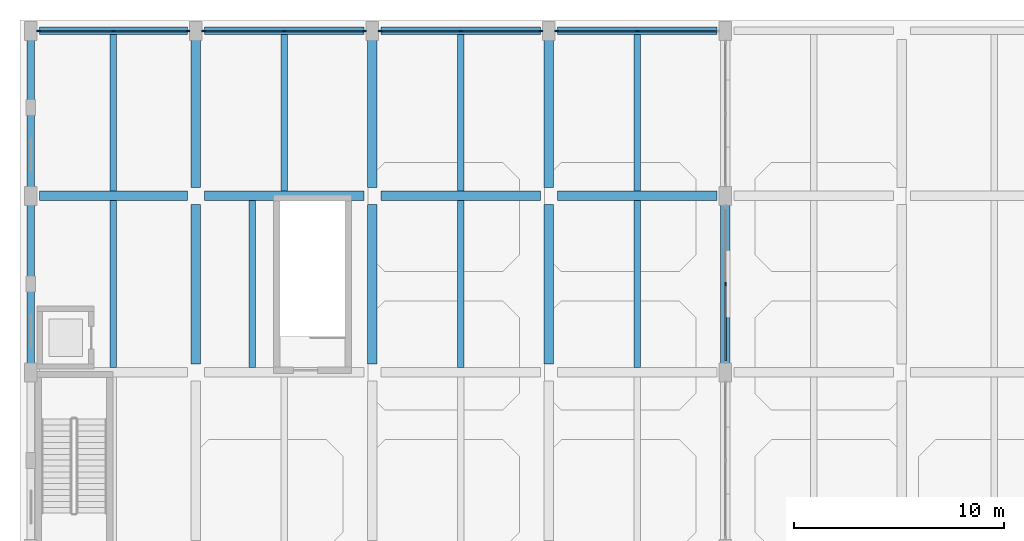
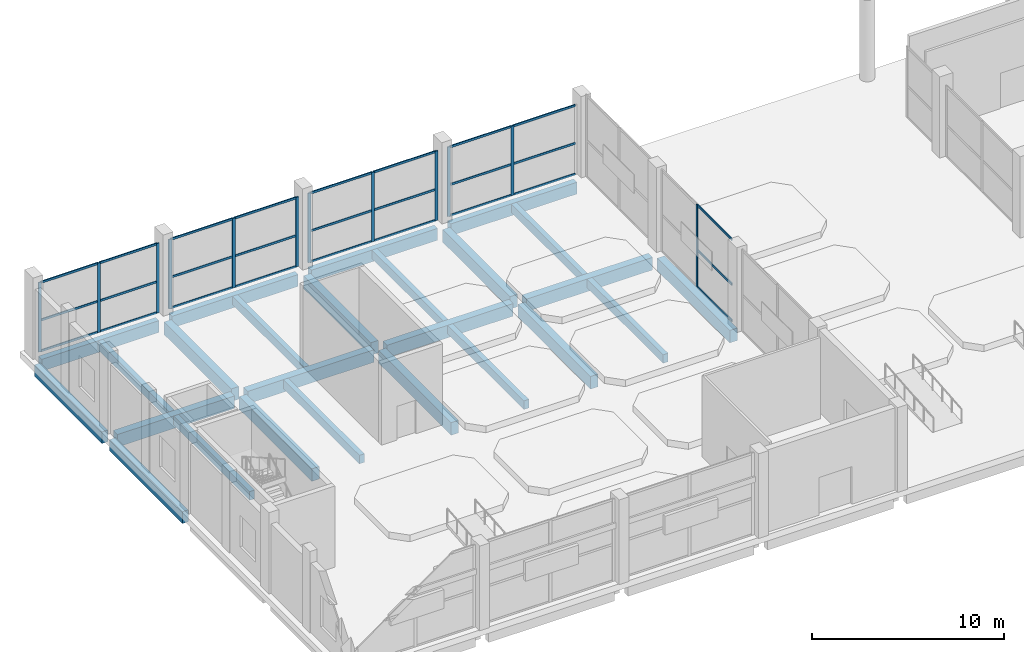
# One storey, part 9 of 34: 39 members, 25 beams, 5 elements without a shape of their own.
"""IFC4 building model written with IfcOpenShell, lengths in metres."""

import ifcopenshell
import ifcopenshell.guid

model = None  # the IFC model being written
_history = None  # IfcOwnerHistory: only IFC2X3 demands one
_inside = {}  # id of a spatial element -> (the spatial element, [elements in it])
_under = {}  # id of a project, library or spatial element -> (it, [spatial elements below it])
_declared = {}  # id of a project -> (the project, [libraries it declares])
_typed = {}  # id of a type object -> (the type object, [elements of that type])
_made_of = {}  # id of a material, layer set ... -> (it, [elements and type objects made of it])


def new_model(schema):
    """Start an empty IFC model of exactly this schema.

    Asked for "IFC4X3", IfcOpenShell would pick the latest addendum, in which some entities
    have other attributes; the version numbers below select the first issue.
    IFC2X3 requires an IfcOwnerHistory on every rooted entity: one is made here for all.
    """
    global model, _history
    if schema == "IFC4X3":
        model = ifcopenshell.file(schema_version=(4, 3, 0, 0))
    else:
        model = ifcopenshell.file(schema=schema)
    _inside.clear()
    _under.clear()
    _declared.clear()
    _typed.clear()
    _made_of.clear()
    _history = None
    if model.schema == "IFC2X3":
        org = make("IfcOrganization", Name="unknown")
        user = make(
            "IfcPersonAndOrganization",
            ThePerson=make("IfcPerson", FamilyName="unknown"),
            TheOrganization=org,
        )
        app = make(
            "IfcApplication",
            ApplicationDeveloper=org,
            Version="unknown",
            ApplicationFullName="unknown",
            ApplicationIdentifier="unknown",
        )
        _history = make(
            "IfcOwnerHistory",
            OwningUser=user,
            OwningApplication=app,
            ChangeAction="ADDED",
            CreationDate=0,
        )
    return model


def make(cls, **values):
    """One entity of the class cls with the attributes given. An attribute that is None is left unset."""
    return model.create_entity(
        cls, **{name: value for name, value in values.items() if value is not None}
    )


def rooted(cls, **values):
    """An entity with a GlobalId (a new one), such as an element, a storey or a relation."""
    return make(cls, GlobalId=ifcopenshell.guid.new(), OwnerHistory=_history, **values)


def si_unit(unit_type, name, prefix=None):
    """IfcSIUnit, for example si_unit("LENGTHUNIT", "METRE", prefix="MILLI")."""
    return make("IfcSIUnit", UnitType=unit_type, Prefix=prefix, Name=name)


def assignment(units):
    """IfcUnitAssignment: the units of a project."""
    return None if units is None else make("IfcUnitAssignment", Units=units)


def point(xyz):
    """IfcCartesianPoint."""
    return None if xyz is None else make("IfcCartesianPoint", Coordinates=xyz)


def direction(xyz):
    """IfcDirection."""
    return None if xyz is None else make("IfcDirection", DirectionRatios=xyz)


def frame(location, z_axis=None, x_axis=None):
    """IfcAxis2Placement3D, a coordinate frame: its origin and axes. An axis left out is left unset."""
    return make(
        "IfcAxis2Placement3D",
        Location=point(location),
        Axis=direction(z_axis),
        RefDirection=direction(x_axis),
    )


def frame_2d(location, x_axis=None):
    """IfcAxis2Placement2D, a coordinate frame in the plane: its origin and x axis."""
    return make(
        "IfcAxis2Placement2D", Location=point(location), RefDirection=direction(x_axis)
    )


def origin():
    """The frame at (0, 0, 0) with its axes left unset."""
    return frame((0.0, 0.0, 0.0))


def origin_2d():
    """The frame at (0, 0) in the plane with its x axis left unset."""
    return frame_2d((0.0, 0.0))


def place(relative_to, where):
    """IfcLocalPlacement: puts the frame where relative to a parent placement (None: the world)."""
    return make(
        "IfcLocalPlacement", PlacementRelTo=relative_to, RelativePlacement=where
    )


def context(
    kind, dimensions, precision=None, world=None, true_north=None, identifier=None
):
    """IfcGeometricRepresentationContext, for example the 3D "Model" context."""
    return make(
        "IfcGeometricRepresentationContext",
        ContextIdentifier=identifier,
        ContextType=kind,
        CoordinateSpaceDimension=dimensions,
        Precision=precision,
        WorldCoordinateSystem=world,
        TrueNorth=true_north,
    )


def subcontext(parent, identifier, kind, view, scale=None):
    """IfcGeometricRepresentationSubContext, for example "Body" below "Model"."""
    return make(
        "IfcGeometricRepresentationSubContext",
        ContextIdentifier=identifier,
        ContextType=kind,
        ParentContext=parent,
        TargetScale=scale,
        TargetView=view,
    )


def project(units=None, contexts=None):
    """IfcProject with its units and contexts."""
    return rooted(
        "IfcProject",
        Name="project",
        RepresentationContexts=contexts,
        UnitsInContext=assignment(units),
    )


def spatial(cls, under=None, at=None, **own):
    """A site, building, storey or space (cls), placed at a placement, below another one or the project."""
    s = rooted(cls, ObjectPlacement=at, **own)
    if under is not None:
        _under.setdefault(under.id(), (under, []))[1].append(s)
    return s


def profile(cls, at=None, kind="AREA", **sizes):
    """A parametric profile (cls). Its sizes go by their IFC names, for example OverallWidth=200.0."""
    return make(cls, ProfileType=kind, Position=at, **sizes)


def rectangle(**sizes):
    """IfcRectangleProfileDef."""
    return profile("IfcRectangleProfileDef", **sizes)


def extrude(swept, where, along, depth):
    """IfcExtrudedAreaSolid: the profile swept, set in the frame where, extruded along a direction by depth."""
    return make(
        "IfcExtrudedAreaSolid",
        SweptArea=swept,
        Position=where,
        ExtrudedDirection=direction(along),
        Depth=depth,
    )


def shape(context_of_items, identifier, shape_type, items):
    """IfcShapeRepresentation: the items that make up one representation, for example the "Body"."""
    return make(
        "IfcShapeRepresentation",
        ContextOfItems=context_of_items,
        RepresentationIdentifier=identifier,
        RepresentationType=shape_type,
        Items=items,
    )


def material(Name=None, Category=None):
    """IfcMaterial."""
    return make("IfcMaterial", Name=Name, Category=Category)


def material_profile(
    of_material, cross_section, Name=None, Category=None, Priority=None
):
    """IfcMaterialProfile: a cross section and its material."""
    return make(
        "IfcMaterialProfile",
        Name=Name,
        Material=of_material,
        Profile=cross_section,
        Priority=Priority,
        Category=Category,
    )


def profile_set(profiles, Name=None, composite=None):
    """IfcMaterialProfileSet."""
    return make(
        "IfcMaterialProfileSet",
        Name=Name,
        MaterialProfiles=profiles,
        CompositeProfile=composite,
    )


def made_of(thing, what):
    """Note that an element or type object is made of a material, layer set ...; save() writes the relation."""
    if what is not None:
        _made_of.setdefault(what.id(), (what, []))[1].append(thing)
    return thing


def type_object(cls, material=None, **own):
    """A type object (cls), such as IfcWallType, which elements share."""
    return made_of(rooted(cls, **own), material)


def element(
    cls,
    number,
    at=None,
    inside=None,
    cuts=None,
    type_object=None,
    material=None,
    context=None,
    identifier="Body",
    shape_type=None,
    held_by="IfcProductDefinitionShape",
    body=None,
    shapes=None,
    **own,
):
    """One element of the class cls, such as IfcWall. Its Tag is "e" and its number.

    at: its placement. inside: the storey or other place that contains it. cuts: it is an
    opening in that element (IfcRelVoidsElement). A single representation is given by context,
    identifier, shape_type and body (its items); several are given by shapes. held_by: the class
    of the entity that holds the representations. save() writes the other relations.
    """
    e = rooted(cls, Tag="e%d" % number, ObjectPlacement=at, **own)
    if body is not None:
        shapes = [shape(context, identifier, shape_type, body)]
    if shapes is not None:
        e.Representation = make(held_by, Representations=shapes)
    if inside is not None:
        _inside.setdefault(inside.id(), (inside, []))[1].append(e)
    if cuts is not None:
        rooted(
            "IfcRelVoidsElement", RelatingBuildingElement=cuts, RelatedOpeningElement=e
        )
    if type_object is not None:
        _typed.setdefault(type_object.id(), (type_object, []))[1].append(e)
    return made_of(e, material)


def aggregate(whole, parts):
    """IfcRelAggregates: a whole, such as a stair, and the parts it consists of."""
    return rooted("IfcRelAggregates", RelatingObject=whole, RelatedObjects=parts)


def save(model, path):
    """Write the relations noted so far, then the file.

    IfcRelAggregates (storeys below a building ...), IfcRelContainedInSpatialStructure (elements
    in a storey), IfcRelDefinesByType, IfcRelAssociatesMaterial and IfcRelDeclares: one each for
    every whole, place, type object, material and project.
    """
    for whole, parts in _under.values():
        aggregate(whole, parts)
    for where, things in _inside.values():
        rooted(
            "IfcRelContainedInSpatialStructure",
            RelatedElements=things,
            RelatingStructure=where,
        )
    for kind, things in _typed.values():
        rooted("IfcRelDefinesByType", RelatedObjects=things, RelatingType=kind)
    for what, things in _made_of.values():
        rooted("IfcRelAssociatesMaterial", RelatedObjects=things, RelatingMaterial=what)
    for by, libraries in _declared.values():
        rooted("IfcRelDeclares", RelatingContext=by, RelatedDefinitions=libraries)
    model.write(path)


model = new_model("IFC4")

# Units and contexts
model_context = context("Model", 3, precision=1e-05, world=origin(), true_north=direction((0.0, 1.0)))
body_context = subcontext(model_context, "Body", "Model", "MODEL_VIEW")
ifc_project = project(units=[si_unit("LENGTHUNIT", "METRE"), si_unit("AREAUNIT", "SQUARE_METRE"), si_unit("VOLUMEUNIT", "CUBIC_METRE"), si_unit("PLANEANGLEUNIT", "RADIAN"), si_unit("MASSUNIT", "GRAM", prefix="KILO")], contexts=[model_context])

# Site, building, storey
site_placement = place(None, origin())
site = spatial("IfcSite", under=ifc_project, at=site_placement, CompositionType="ELEMENT")
building_placement = place(site_placement, origin())
building = spatial("IfcBuilding", under=site, at=building_placement, Name="Brinegate Botanical Conservatory", CompositionType="ELEMENT")
storey_placement = place(building_placement, origin())
storey = spatial("IfcBuildingStorey", under=building, at=storey_placement, Name="L01", CompositionType="ELEMENT", Elevation=0.0)

# Beams
ifc_material_1 = material(Name="Concrete C40/50", Category="concrete")
ifc_material_profile_1 = material_profile(ifc_material_1, rectangle(XDim=0.449951171875, YDim=0.800048828125, at=origin_2d()), Name="RC BM 450x800")
ifc_profile_set_1 = profile_set([ifc_material_profile_1], Name="Concrete C40/50")
beam_type_1 = type_object("IfcBeamType", Name="Beam_BM-G1", PredefinedType="BEAM", material=ifc_profile_set_1)
beam_1_placement = place(storey_placement, frame((0.949951171875, 103.60009765625, -0.804931640625), z_axis=(1.0, 0.0, 0.0), x_axis=(0.0, 1.0, 0.0)))
element("IfcBeam", 1, at=beam_1_placement, inside=storey, type_object=beam_type_1, Name="Beam BM-G1 L01 N:1-2", PredefinedType="BEAM", context=body_context, shape_type="SweptSolid", body=[
    extrude(rectangle(XDim=0.449951171875, YDim=0.800048828125, at=origin_2d()), origin(), (0.0, 0.0, 1.0), 7.050048828125),
])
beam_2_placement = place(storey_placement, frame((8.800048828125, 103.60009765625, -0.804931640625), z_axis=(1.0, 0.0, 0.0), x_axis=(0.0, 1.0, 0.0)))
element("IfcBeam", 2, at=beam_2_placement, inside=storey, type_object=beam_type_1, Name="Beam BM-G1 L01 N:2-3", PredefinedType="BEAM", context=body_context, shape_type="SweptSolid", body=[
    extrude(rectangle(XDim=0.449951171875, YDim=0.800048828125, at=origin_2d()), origin(), (0.0, 0.0, 1.0), 7.599853515625),
])
beam_3_placement = place(storey_placement, frame((17.199951171875, 103.60009765625, -0.804931640625), z_axis=(1.0, 0.0, 0.0), x_axis=(0.0, 1.0, 0.0)))
element("IfcBeam", 3, at=beam_3_placement, inside=storey, type_object=beam_type_1, Name="Beam BM-G1 L01 N:3-4", PredefinedType="BEAM", context=body_context, shape_type="SweptSolid", body=[
    extrude(rectangle(XDim=0.449951171875, YDim=0.800048828125, at=origin_2d()), origin(), (0.0, 0.0, 1.0), 7.60009765625),
])
for number, where, z_axis, x_axis, name in (
    (4, (25.60009765625, 103.60009765625, -0.804931640625), (1.0, 0.0, 0.0), (0.0, 1.0, 0.0), "Beam BM-G1 L01 N:4-5"),
    (5, (8.39990234375, 95.60009765625, -0.804931640625), (0.0, 1.0, 0.0), (-1.0, 0.0, 0.0), "Beam BM-G1 L01 2:M-N"),
):
    element("IfcBeam", number, at=place(storey_placement, frame(where, z_axis=z_axis, x_axis=x_axis)), inside=storey, type_object=beam_type_1, Name=name, PredefinedType="BEAM", context=body_context, shape_type="SweptSolid", body=[
        extrude(rectangle(XDim=0.449951171875, YDim=0.800048828125, at=origin_2d()), origin(), (0.0, 0.0, 1.0), 7.599853515625),
    ])
beam_4_placement = place(storey_placement, frame((8.39990234375, 104.0, -0.804931640625), z_axis=(0.0, 1.0, 0.0), x_axis=(-1.0, 0.0, 0.0)))
element("IfcBeam", 6, at=beam_4_placement, inside=storey, type_object=beam_type_1, Name="Beam BM-G1 L01 2:N-P", PredefinedType="BEAM", context=body_context, shape_type="SweptSolid", body=[
    extrude(rectangle(XDim=0.449951171875, YDim=0.800048828125, at=origin_2d()), origin(), (0.0, 0.0, 1.0), 7.050048828125),
])
beam_5_placement = place(storey_placement, frame((16.800048828125, 95.60009765625, -0.804931640625), z_axis=(0.0, 1.0, 0.0), x_axis=(-1.0, 0.0, 0.0)))
element("IfcBeam", 7, at=beam_5_placement, inside=storey, type_object=beam_type_1, Name="Beam BM-G1 L01 3:M-N", PredefinedType="BEAM", context=body_context, shape_type="SweptSolid", body=[
    extrude(rectangle(XDim=0.449951171875, YDim=0.800048828125, at=origin_2d()), origin(), (0.0, 0.0, 1.0), 7.599853515625),
])
beam_6_placement = place(storey_placement, frame((16.800048828125, 104.0, -0.804931640625), z_axis=(0.0, 1.0, 0.0), x_axis=(-1.0, 0.0, 0.0)))
element("IfcBeam", 8, at=beam_6_placement, inside=storey, type_object=beam_type_1, Name="Beam BM-G1 L01 3:N-P", PredefinedType="BEAM", context=body_context, shape_type="SweptSolid", body=[
    extrude(rectangle(XDim=0.449951171875, YDim=0.800048828125, at=origin_2d()), origin(), (0.0, 0.0, 1.0), 7.050048828125),
])
beam_7_placement = place(storey_placement, frame((25.199951171875, 95.60009765625, -0.804931640625), z_axis=(0.0, 1.0, 0.0), x_axis=(-1.0, 0.0, 0.0)))
element("IfcBeam", 9, at=beam_7_placement, inside=storey, type_object=beam_type_1, Name="Beam BM-G1 L01 4:M-N", PredefinedType="BEAM", context=body_context, shape_type="SweptSolid", body=[
    extrude(rectangle(XDim=0.449951171875, YDim=0.800048828125, at=origin_2d()), origin(), (0.0, 0.0, 1.0), 7.599853515625),
])
beam_8_placement = place(storey_placement, frame((25.199951171875, 104.0, -0.804931640625), z_axis=(0.0, 1.0, 0.0), x_axis=(-1.0, 0.0, 0.0)))
element("IfcBeam", 10, at=beam_8_placement, inside=storey, type_object=beam_type_1, Name="Beam BM-G1 L01 4:N-P", PredefinedType="BEAM", context=body_context, shape_type="SweptSolid", body=[
    extrude(rectangle(XDim=0.449951171875, YDim=0.800048828125, at=origin_2d()), origin(), (0.0, 0.0, 1.0), 7.050048828125),
])
beam_9_placement = place(storey_placement, frame((33.60009765625, 95.60009765625, -0.804931640625), z_axis=(0.0, 1.0, 0.0), x_axis=(-1.0, 0.0, 0.0)))
element("IfcBeam", 11, at=beam_9_placement, inside=storey, type_object=beam_type_1, Name="Beam BM-G1 L01 5:M-N", PredefinedType="BEAM", context=body_context, shape_type="SweptSolid", body=[
    extrude(rectangle(XDim=0.449951171875, YDim=0.800048828125, at=origin_2d()), origin(), (0.0, 0.0, 1.0), 7.599853515625),
])
ifc_material_profile_2 = material_profile(ifc_material_1, rectangle(XDim=0.300048828125, YDim=0.550048828125, at=origin_2d()), Name="RC JST 300x550")
ifc_profile_set_2 = profile_set([ifc_material_profile_2], Name="Concrete C40/50")
beam_type_2 = type_object("IfcBeamType", Name="Beam_JS-C1", PredefinedType="JOIST", material=ifc_profile_set_2)
beam_10_placement = place(storey_placement, frame((4.47509765625, 95.425048828125, -0.679931640625), z_axis=(0.0, 1.0, 0.0), x_axis=(-1.0, 0.0, 0.0)))
element("IfcBeam", 12, at=beam_10_placement, inside=storey, type_object=beam_type_2, Name="Floor joist JS-C1 L01 bay 1.12", PredefinedType="JOIST", context=body_context, shape_type="SweptSolid", body=[
    extrude(rectangle(XDim=0.300048828125, YDim=0.550048828125, at=origin_2d()), origin(), (0.0, 0.0, 1.0), 7.949951171875),
])
beam_11_placement = place(storey_placement, frame((4.47509765625, 103.824951171875, -0.679931640625), z_axis=(0.0, 1.0, 0.0), x_axis=(-1.0, 0.0, 0.0)))
element("IfcBeam", 13, at=beam_11_placement, inside=storey, type_object=beam_type_2, Name="Floor joist JS-C1 L01 bay 1.13", PredefinedType="JOIST", context=body_context, shape_type="SweptSolid", body=[
    extrude(rectangle(XDim=0.300048828125, YDim=0.550048828125, at=origin_2d()), origin(), (0.0, 0.0, 1.0), 7.449951171875),
])
beam_12_placement = place(storey_placement, frame((11.087890625, 95.425048828125, -0.679931640625), z_axis=(0.0, 1.0, 0.0), x_axis=(-1.0, 0.0, 0.0)))
element("IfcBeam", 14, at=beam_12_placement, inside=storey, type_object=beam_type_2, Name="Floor joist JS-C1 L01 bay 2.12", PredefinedType="JOIST", context=body_context, shape_type="SweptSolid", body=[
    extrude(rectangle(XDim=0.300048828125, YDim=0.550048828125, at=origin_2d()), origin(), (0.0, 0.0, 1.0), 7.949951171875),
])
beam_13_placement = place(storey_placement, frame((12.60009765625, 103.824951171875, -0.679931640625), z_axis=(0.0, 1.0, 0.0), x_axis=(-1.0, 0.0, 0.0)))
element("IfcBeam", 15, at=beam_13_placement, inside=storey, type_object=beam_type_2, Name="Floor joist JS-C1 L01 bay 2.13", PredefinedType="JOIST", context=body_context, shape_type="SweptSolid", body=[
    extrude(rectangle(XDim=0.300048828125, YDim=0.550048828125, at=origin_2d()), origin(), (0.0, 0.0, 1.0), 7.449951171875),
])
beam_14_placement = place(storey_placement, frame((21.0, 95.425048828125, -0.679931640625), z_axis=(0.0, 1.0, 0.0), x_axis=(-1.0, 0.0, 0.0)))
element("IfcBeam", 16, at=beam_14_placement, inside=storey, type_object=beam_type_2, Name="Floor joist JS-C1 L01 bay 3.12", PredefinedType="JOIST", context=body_context, shape_type="SweptSolid", body=[
    extrude(rectangle(XDim=0.300048828125, YDim=0.550048828125, at=origin_2d()), origin(), (0.0, 0.0, 1.0), 7.949951171875),
])
beam_15_placement = place(storey_placement, frame((21.0, 103.824951171875, -0.679931640625), z_axis=(0.0, 1.0, 0.0), x_axis=(-1.0, 0.0, 0.0)))
element("IfcBeam", 17, at=beam_15_placement, inside=storey, type_object=beam_type_2, Name="Floor joist JS-C1 L01 bay 3.13", PredefinedType="JOIST", context=body_context, shape_type="SweptSolid", body=[
    extrude(rectangle(XDim=0.300048828125, YDim=0.550048828125, at=origin_2d()), origin(), (0.0, 0.0, 1.0), 7.449951171875),
])
beam_16_placement = place(storey_placement, frame((29.39990234375, 95.425048828125, -0.679931640625), z_axis=(0.0, 1.0, 0.0), x_axis=(-1.0, 0.0, 0.0)))
element("IfcBeam", 18, at=beam_16_placement, inside=storey, type_object=beam_type_2, Name="Floor joist JS-C1 L01 bay 4.12", PredefinedType="JOIST", context=body_context, shape_type="SweptSolid", body=[
    extrude(rectangle(XDim=0.300048828125, YDim=0.550048828125, at=origin_2d()), origin(), (0.0, 0.0, 1.0), 7.949951171875),
])
beam_17_placement = place(storey_placement, frame((29.39990234375, 103.824951171875, -0.679931640625), z_axis=(0.0, 1.0, 0.0), x_axis=(-1.0, 0.0, 0.0)))
element("IfcBeam", 19, at=beam_17_placement, inside=storey, type_object=beam_type_2, Name="Floor joist JS-C1 L01 bay 4.13", PredefinedType="JOIST", context=body_context, shape_type="SweptSolid", body=[
    extrude(rectangle(XDim=0.300048828125, YDim=0.550048828125, at=origin_2d()), origin(), (0.0, 0.0, 1.0), 7.449951171875),
])
ifc_material_profile_3 = material_profile(ifc_material_1, rectangle(XDim=0.35009765625, YDim=0.75, at=origin_2d()), Name="RC SPN 350x750")
ifc_profile_set_3 = profile_set([ifc_material_profile_3], Name="Concrete C40/50")
beam_type_3 = type_object("IfcBeamType", Name="Beam_SP-01", PredefinedType="SPANDREL", material=ifc_profile_set_3)
beam_18_placement = place(storey_placement, frame((0.949951171875, 111.449951171875, -0.780029296875), z_axis=(1.0, 0.0, 0.0), x_axis=(0.0, 1.0, 0.0)))
element("IfcBeam", 20, at=beam_18_placement, inside=storey, type_object=beam_type_3, Name="Beam SP-01 L01 P:1-2", PredefinedType="SPANDREL", context=body_context, shape_type="SweptSolid", body=[
    extrude(rectangle(XDim=0.35009765625, YDim=0.75, at=origin_2d()), origin(), (0.0, 0.0, 1.0), 7.050048828125),
])
beam_19_placement = place(storey_placement, frame((8.800048828125, 111.449951171875, -0.780029296875), z_axis=(1.0, 0.0, 0.0), x_axis=(0.0, 1.0, 0.0)))
element("IfcBeam", 21, at=beam_19_placement, inside=storey, type_object=beam_type_3, Name="Beam SP-01 L01 P:2-3", PredefinedType="SPANDREL", context=body_context, shape_type="SweptSolid", body=[
    extrude(rectangle(XDim=0.35009765625, YDim=0.75, at=origin_2d()), origin(), (0.0, 0.0, 1.0), 7.599853515625),
])
beam_20_placement = place(storey_placement, frame((17.199951171875, 111.449951171875, -0.780029296875), z_axis=(1.0, 0.0, 0.0), x_axis=(0.0, 1.0, 0.0)))
element("IfcBeam", 22, at=beam_20_placement, inside=storey, type_object=beam_type_3, Name="Beam SP-01 L01 P:3-4", PredefinedType="SPANDREL", context=body_context, shape_type="SweptSolid", body=[
    extrude(rectangle(XDim=0.35009765625, YDim=0.75, at=origin_2d()), origin(), (0.0, 0.0, 1.0), 7.60009765625),
])
for number, where, z_axis, x_axis, name in (
    (23, (25.60009765625, 111.449951171875, -0.780029296875), (1.0, 0.0, 0.0), (0.0, 1.0, 0.0), "Beam SP-01 L01 P:4-5"),
    (24, (0.550048828125, 95.60009765625, -0.780029296875), (0.0, 1.0, 0.0), (-1.0, 0.0, 0.0), "Beam SP-01 L01 1:M-N"),
):
    element("IfcBeam", number, at=place(storey_placement, frame(where, z_axis=z_axis, x_axis=x_axis)), inside=storey, type_object=beam_type_3, Name=name, PredefinedType="SPANDREL", context=body_context, shape_type="SweptSolid", body=[
        extrude(rectangle(XDim=0.35009765625, YDim=0.75, at=origin_2d()), origin(), (0.0, 0.0, 1.0), 7.599853515625),
    ])
beam_21_placement = place(storey_placement, frame((0.550048828125, 104.0, -0.780029296875), z_axis=(0.0, 1.0, 0.0), x_axis=(-1.0, 0.0, 0.0)))
element("IfcBeam", 25, at=beam_21_placement, inside=storey, type_object=beam_type_3, Name="Beam SP-01 L01 1:N-P", PredefinedType="SPANDREL", context=body_context, shape_type="SweptSolid", body=[
    extrude(rectangle(XDim=0.35009765625, YDim=0.75, at=origin_2d()), origin(), (0.0, 0.0, 1.0), 7.050048828125),
])

# Curtain wall, members
ifc_material_2 = material(Name="Thermally broken anodised aluminium AW-6063-T6", Category="aluminium")
curtain_wall_type = type_object("IfcCurtainWallType", Name="CW_CW-V1", PredefinedType="USERDEFINED", material=ifc_material_2)
curtain_wall_1_placement = place(storey_placement, origin())
curtain_wall_1 = element("IfcCurtainWall", 26, at=curtain_wall_1_placement, inside=storey, type_object=curtain_wall_type, Name="Conservatory north curtain wall L01.1", ObjectType="FACTORY CURTAIN WALL", PredefinedType="USERDEFINED")
ifc_material_profile_4 = material_profile(ifc_material_2, rectangle(XDim=0.06494140625, YDim=0.179931640625, at=origin_2d()), Name="ALUM MULLION 65x180")
ifc_profile_set_4 = profile_set([ifc_material_profile_4], Name="Thermally broken anodised aluminium AW-6063-T6")
member_type_1 = type_object("IfcMemberType", Name="Member_ML-02", PredefinedType="MULLION", material=ifc_profile_set_4)
member_1_placement = place(storey_placement, frame((0.922607421875, 111.449951171875, 0.0), z_axis=(0.0, 0.0, 1.0), x_axis=(0.0, 1.0, 0.0)))
member_1 = element("IfcMember", 27, at=member_1_placement, type_object=member_type_1, Name="CW-V1 mullion 1", PredefinedType="MULLION", context=body_context, shape_type="SweptSolid", body=[
    extrude(rectangle(XDim=0.06494140625, YDim=0.179931640625, at=origin_2d()), origin(), (0.0, 0.0, 1.0), 4.429931640625),
])
member_2_placement = place(storey_placement, frame((4.47509765625, 111.449951171875, 0.0), z_axis=(0.0, 0.0, 1.0), x_axis=(0.0, 1.0, 0.0)))
member_2 = element("IfcMember", 28, at=member_2_placement, type_object=member_type_1, Name="CW-V1 mullion 2", PredefinedType="MULLION", context=body_context, shape_type="SweptSolid", body=[
    extrude(rectangle(XDim=0.06494140625, YDim=0.179931640625, at=origin_2d()), origin(), (0.0, 0.0, 1.0), 4.429931640625),
])
member_3_placement = place(storey_placement, frame((8.027587890625, 111.449951171875, 0.0), z_axis=(0.0, 0.0, 1.0), x_axis=(0.0, 1.0, 0.0)))
member_3 = element("IfcMember", 29, at=member_3_placement, type_object=member_type_1, Name="CW-V1 mullion 3", PredefinedType="MULLION", context=body_context, shape_type="SweptSolid", body=[
    extrude(rectangle(XDim=0.06494140625, YDim=0.179931640625, at=origin_2d()), origin(), (0.0, 0.0, 1.0), 4.429931640625),
])

curtain_wall_2_placement = place(storey_placement, origin())
curtain_wall_2 = element("IfcCurtainWall", 30, at=curtain_wall_2_placement, inside=storey, type_object=curtain_wall_type, Name="Conservatory north curtain wall L01.2", ObjectType="FACTORY CURTAIN WALL", PredefinedType="USERDEFINED")
member_4_placement = place(storey_placement, frame((8.7724609375, 111.449951171875, 0.0), z_axis=(0.0, 0.0, 1.0), x_axis=(0.0, 1.0, 0.0)))
member_4 = element("IfcMember", 31, at=member_4_placement, type_object=member_type_1, Name="CW-V1 mullion 1", PredefinedType="MULLION", context=body_context, shape_type="SweptSolid", body=[
    extrude(rectangle(XDim=0.06494140625, YDim=0.179931640625, at=origin_2d()), origin(), (0.0, 0.0, 1.0), 4.429931640625),
])
member_5_placement = place(storey_placement, frame((12.60009765625, 111.449951171875, 0.0), z_axis=(0.0, 0.0, 1.0), x_axis=(0.0, 1.0, 0.0)))
member_5 = element("IfcMember", 32, at=member_5_placement, type_object=member_type_1, Name="CW-V1 mullion 2", PredefinedType="MULLION", context=body_context, shape_type="SweptSolid", body=[
    extrude(rectangle(XDim=0.06494140625, YDim=0.179931640625, at=origin_2d()), origin(), (0.0, 0.0, 1.0), 4.429931640625),
])
member_6_placement = place(storey_placement, frame((16.427490234375, 111.449951171875, 0.0), z_axis=(0.0, 0.0, 1.0), x_axis=(0.0, 1.0, 0.0)))
member_6 = element("IfcMember", 33, at=member_6_placement, type_object=member_type_1, Name="CW-V1 mullion 3", PredefinedType="MULLION", context=body_context, shape_type="SweptSolid", body=[
    extrude(rectangle(XDim=0.06494140625, YDim=0.179931640625, at=origin_2d()), origin(), (0.0, 0.0, 1.0), 4.429931640625),
])

curtain_wall_3_placement = place(storey_placement, origin())
curtain_wall_3 = element("IfcCurtainWall", 34, at=curtain_wall_3_placement, inside=storey, type_object=curtain_wall_type, Name="Conservatory north curtain wall L01.3", ObjectType="FACTORY CURTAIN WALL", PredefinedType="USERDEFINED")
member_7_placement = place(storey_placement, frame((17.172607421875, 111.449951171875, 0.0), z_axis=(0.0, 0.0, 1.0), x_axis=(0.0, 1.0, 0.0)))
member_7 = element("IfcMember", 35, at=member_7_placement, type_object=member_type_1, Name="CW-V1 mullion 1", PredefinedType="MULLION", context=body_context, shape_type="SweptSolid", body=[
    extrude(rectangle(XDim=0.06494140625, YDim=0.179931640625, at=origin_2d()), origin(), (0.0, 0.0, 1.0), 4.429931640625),
])
member_8_placement = place(storey_placement, frame((21.0, 111.449951171875, 0.0), z_axis=(0.0, 0.0, 1.0), x_axis=(0.0, 1.0, 0.0)))
member_8 = element("IfcMember", 36, at=member_8_placement, type_object=member_type_1, Name="CW-V1 mullion 2", PredefinedType="MULLION", context=body_context, shape_type="SweptSolid", body=[
    extrude(rectangle(XDim=0.06494140625, YDim=0.179931640625, at=origin_2d()), origin(), (0.0, 0.0, 1.0), 4.429931640625),
])
member_9_placement = place(storey_placement, frame((24.827392578125, 111.449951171875, 0.0), z_axis=(0.0, 0.0, 1.0), x_axis=(0.0, 1.0, 0.0)))
member_9 = element("IfcMember", 37, at=member_9_placement, type_object=member_type_1, Name="CW-V1 mullion 3", PredefinedType="MULLION", context=body_context, shape_type="SweptSolid", body=[
    extrude(rectangle(XDim=0.06494140625, YDim=0.179931640625, at=origin_2d()), origin(), (0.0, 0.0, 1.0), 4.429931640625),
])

curtain_wall_4_placement = place(storey_placement, origin())
curtain_wall_4 = element("IfcCurtainWall", 38, at=curtain_wall_4_placement, inside=storey, type_object=curtain_wall_type, Name="Conservatory north curtain wall L01.4", ObjectType="FACTORY CURTAIN WALL", PredefinedType="USERDEFINED")
member_10_placement = place(storey_placement, frame((25.572509765625, 111.449951171875, 0.0), z_axis=(0.0, 0.0, 1.0), x_axis=(0.0, 1.0, 0.0)))
member_10 = element("IfcMember", 39, at=member_10_placement, type_object=member_type_1, Name="CW-V1 mullion 1", PredefinedType="MULLION", context=body_context, shape_type="SweptSolid", body=[
    extrude(rectangle(XDim=0.06494140625, YDim=0.179931640625, at=origin_2d()), origin(), (0.0, 0.0, 1.0), 4.429931640625),
])
member_11_placement = place(storey_placement, frame((29.39990234375, 111.449951171875, 0.0), z_axis=(0.0, 0.0, 1.0), x_axis=(0.0, 1.0, 0.0)))
member_11 = element("IfcMember", 40, at=member_11_placement, type_object=member_type_1, Name="CW-V1 mullion 2", PredefinedType="MULLION", context=body_context, shape_type="SweptSolid", body=[
    extrude(rectangle(XDim=0.06494140625, YDim=0.179931640625, at=origin_2d()), origin(), (0.0, 0.0, 1.0), 4.429931640625),
])

# Curtain wall, member
curtain_wall_5_placement = place(storey_placement, origin())
curtain_wall_5 = element("IfcCurtainWall", 41, at=curtain_wall_5_placement, inside=storey, type_object=curtain_wall_type, Name="Conservatory east curtain wall L01.3", ObjectType="FACTORY CURTAIN WALL", PredefinedType="USERDEFINED")
member_12_placement = place(storey_placement, frame((33.60009765625, 99.39990234375, 0.0), z_axis=(0.0, 0.0, 1.0), x_axis=(1.0, 0.0, 0.0)))
member_12 = element("IfcMember", 42, at=member_12_placement, type_object=member_type_1, Name="CW-V1 mullion 2", PredefinedType="MULLION", context=body_context, shape_type="SweptSolid", body=[
    extrude(rectangle(XDim=0.06494140625, YDim=0.179931640625, at=origin_2d()), origin(), (0.0, 0.0, 1.0), 5.239990234375),
])

# Member
ifc_material_profile_5 = material_profile(ifc_material_2, rectangle(XDim=0.06494140625, YDim=0.135009765625, at=origin_2d()), Name="ALUM TRANSOM 65x135")
ifc_profile_set_5 = profile_set([ifc_material_profile_5], Name="Thermally broken anodised aluminium AW-6063-T6")
member_type_2 = type_object("IfcMemberType", Name="Member_TR-02", PredefinedType="USERDEFINED", material=ifc_profile_set_5)
member_13_placement = place(storey_placement, frame((0.955078125, 111.449951171875, 0.032470703125), z_axis=(1.0, 0.0, 0.0), x_axis=(0.0, 1.0, 0.0)))
member_13 = element("IfcMember", 43, at=member_13_placement, type_object=member_type_2, Name="CW-V1 transom 1.1", ObjectType="TRANSOM", PredefinedType="USERDEFINED", context=body_context, shape_type="SweptSolid", body=[
    extrude(rectangle(XDim=0.06494140625, YDim=0.135009765625, at=origin_2d()), origin(), (0.0, 0.0, 1.0), 3.4873046875),
])

member_14_placement = place(storey_placement, frame((0.955078125, 111.449951171875, 1.992919921875), z_axis=(1.0, 0.0, 0.0), x_axis=(0.0, 1.0, 0.0)))
member_14 = element("IfcMember", 44, at=member_14_placement, type_object=member_type_2, Name="CW-V1 transom 1.2", ObjectType="TRANSOM", PredefinedType="USERDEFINED", context=body_context, shape_type="SweptSolid", body=[
    extrude(rectangle(XDim=0.06494140625, YDim=0.135009765625, at=origin_2d()), origin(), (0.0, 0.0, 1.0), 3.4873046875),
])

member_15_placement = place(storey_placement, frame((0.955078125, 111.449951171875, 4.3974609375), z_axis=(1.0, 0.0, 0.0), x_axis=(0.0, 1.0, 0.0)))
member_15 = element("IfcMember", 45, at=member_15_placement, type_object=member_type_2, Name="CW-V1 transom 1.3", ObjectType="TRANSOM", PredefinedType="USERDEFINED", context=body_context, shape_type="SweptSolid", body=[
    extrude(rectangle(XDim=0.06494140625, YDim=0.135009765625, at=origin_2d()), origin(), (0.0, 0.0, 1.0), 3.4873046875),
])

member_16_placement = place(storey_placement, frame((4.507568359375, 111.449951171875, 0.032470703125), z_axis=(1.0, 0.0, 0.0), x_axis=(0.0, 1.0, 0.0)))
member_16 = element("IfcMember", 46, at=member_16_placement, type_object=member_type_2, Name="CW-V1 transom 2.1", ObjectType="TRANSOM", PredefinedType="USERDEFINED", context=body_context, shape_type="SweptSolid", body=[
    extrude(rectangle(XDim=0.06494140625, YDim=0.135009765625, at=origin_2d()), origin(), (0.0, 0.0, 1.0), 3.487548828125),
])

member_17_placement = place(storey_placement, frame((4.507568359375, 111.449951171875, 1.992919921875), z_axis=(1.0, 0.0, 0.0), x_axis=(0.0, 1.0, 0.0)))
member_17 = element("IfcMember", 47, at=member_17_placement, type_object=member_type_2, Name="CW-V1 transom 2.2", ObjectType="TRANSOM", PredefinedType="USERDEFINED", context=body_context, shape_type="SweptSolid", body=[
    extrude(rectangle(XDim=0.06494140625, YDim=0.135009765625, at=origin_2d()), origin(), (0.0, 0.0, 1.0), 3.487548828125),
])

member_18_placement = place(storey_placement, frame((4.507568359375, 111.449951171875, 4.3974609375), z_axis=(1.0, 0.0, 0.0), x_axis=(0.0, 1.0, 0.0)))
member_18 = element("IfcMember", 48, at=member_18_placement, type_object=member_type_2, Name="CW-V1 transom 2.3", ObjectType="TRANSOM", PredefinedType="USERDEFINED", context=body_context, shape_type="SweptSolid", body=[
    extrude(rectangle(XDim=0.06494140625, YDim=0.135009765625, at=origin_2d()), origin(), (0.0, 0.0, 1.0), 3.487548828125),
])

aggregate(curtain_wall_1, [member_1, member_2, member_3, member_13, member_14, member_15, member_16, member_17, member_18])

member_19_placement = place(storey_placement, frame((8.804931640625, 111.449951171875, 0.032470703125), z_axis=(1.0, 0.0, 0.0), x_axis=(0.0, 1.0, 0.0)))
member_19 = element("IfcMember", 49, at=member_19_placement, type_object=member_type_2, Name="CW-V1 transom 1.1", ObjectType="TRANSOM", PredefinedType="USERDEFINED", context=body_context, shape_type="SweptSolid", body=[
    extrude(rectangle(XDim=0.06494140625, YDim=0.135009765625, at=origin_2d()), origin(), (0.0, 0.0, 1.0), 3.762451171875),
])

member_20_placement = place(storey_placement, frame((8.804931640625, 111.449951171875, 1.992919921875), z_axis=(1.0, 0.0, 0.0), x_axis=(0.0, 1.0, 0.0)))
member_20 = element("IfcMember", 50, at=member_20_placement, type_object=member_type_2, Name="CW-V1 transom 1.2", ObjectType="TRANSOM", PredefinedType="USERDEFINED", context=body_context, shape_type="SweptSolid", body=[
    extrude(rectangle(XDim=0.06494140625, YDim=0.135009765625, at=origin_2d()), origin(), (0.0, 0.0, 1.0), 3.762451171875),
])

member_21_placement = place(storey_placement, frame((8.804931640625, 111.449951171875, 4.3974609375), z_axis=(1.0, 0.0, 0.0), x_axis=(0.0, 1.0, 0.0)))
member_21 = element("IfcMember", 51, at=member_21_placement, type_object=member_type_2, Name="CW-V1 transom 1.3", ObjectType="TRANSOM", PredefinedType="USERDEFINED", context=body_context, shape_type="SweptSolid", body=[
    extrude(rectangle(XDim=0.06494140625, YDim=0.135009765625, at=origin_2d()), origin(), (0.0, 0.0, 1.0), 3.762451171875),
])

member_22_placement = place(storey_placement, frame((12.632568359375, 111.449951171875, 0.032470703125), z_axis=(1.0, 0.0, 0.0), x_axis=(0.0, 1.0, 0.0)))
member_22 = element("IfcMember", 52, at=member_22_placement, type_object=member_type_2, Name="CW-V1 transom 2.1", ObjectType="TRANSOM", PredefinedType="USERDEFINED", context=body_context, shape_type="SweptSolid", body=[
    extrude(rectangle(XDim=0.06494140625, YDim=0.135009765625, at=origin_2d()), origin(), (0.0, 0.0, 1.0), 3.762451171875),
])

member_23_placement = place(storey_placement, frame((12.632568359375, 111.449951171875, 1.992919921875), z_axis=(1.0, 0.0, 0.0), x_axis=(0.0, 1.0, 0.0)))
member_23 = element("IfcMember", 53, at=member_23_placement, type_object=member_type_2, Name="CW-V1 transom 2.2", ObjectType="TRANSOM", PredefinedType="USERDEFINED", context=body_context, shape_type="SweptSolid", body=[
    extrude(rectangle(XDim=0.06494140625, YDim=0.135009765625, at=origin_2d()), origin(), (0.0, 0.0, 1.0), 3.762451171875),
])

member_24_placement = place(storey_placement, frame((12.632568359375, 111.449951171875, 4.3974609375), z_axis=(1.0, 0.0, 0.0), x_axis=(0.0, 1.0, 0.0)))
member_24 = element("IfcMember", 54, at=member_24_placement, type_object=member_type_2, Name="CW-V1 transom 2.3", ObjectType="TRANSOM", PredefinedType="USERDEFINED", context=body_context, shape_type="SweptSolid", body=[
    extrude(rectangle(XDim=0.06494140625, YDim=0.135009765625, at=origin_2d()), origin(), (0.0, 0.0, 1.0), 3.762451171875),
])

aggregate(curtain_wall_2, [member_4, member_5, member_6, member_19, member_20, member_21, member_22, member_23, member_24])

member_25_placement = place(storey_placement, frame((17.205078125, 111.449951171875, 0.032470703125), z_axis=(1.0, 0.0, 0.0), x_axis=(0.0, 1.0, 0.0)))
member_25 = element("IfcMember", 55, at=member_25_placement, type_object=member_type_2, Name="CW-V1 transom 1.1", ObjectType="TRANSOM", PredefinedType="USERDEFINED", context=body_context, shape_type="SweptSolid", body=[
    extrude(rectangle(XDim=0.06494140625, YDim=0.135009765625, at=origin_2d()), origin(), (0.0, 0.0, 1.0), 3.762451171875),
])

member_26_placement = place(storey_placement, frame((17.205078125, 111.449951171875, 1.992919921875), z_axis=(1.0, 0.0, 0.0), x_axis=(0.0, 1.0, 0.0)))
member_26 = element("IfcMember", 56, at=member_26_placement, type_object=member_type_2, Name="CW-V1 transom 1.2", ObjectType="TRANSOM", PredefinedType="USERDEFINED", context=body_context, shape_type="SweptSolid", body=[
    extrude(rectangle(XDim=0.06494140625, YDim=0.135009765625, at=origin_2d()), origin(), (0.0, 0.0, 1.0), 3.762451171875),
])

member_27_placement = place(storey_placement, frame((17.205078125, 111.449951171875, 4.3974609375), z_axis=(1.0, 0.0, 0.0), x_axis=(0.0, 1.0, 0.0)))
member_27 = element("IfcMember", 57, at=member_27_placement, type_object=member_type_2, Name="CW-V1 transom 1.3", ObjectType="TRANSOM", PredefinedType="USERDEFINED", context=body_context, shape_type="SweptSolid", body=[
    extrude(rectangle(XDim=0.06494140625, YDim=0.135009765625, at=origin_2d()), origin(), (0.0, 0.0, 1.0), 3.762451171875),
])

member_28_placement = place(storey_placement, frame((21.032470703125, 111.449951171875, 0.032470703125), z_axis=(1.0, 0.0, 0.0), x_axis=(0.0, 1.0, 0.0)))
member_28 = element("IfcMember", 58, at=member_28_placement, type_object=member_type_2, Name="CW-V1 transom 2.1", ObjectType="TRANSOM", PredefinedType="USERDEFINED", context=body_context, shape_type="SweptSolid", body=[
    extrude(rectangle(XDim=0.06494140625, YDim=0.135009765625, at=origin_2d()), origin(), (0.0, 0.0, 1.0), 3.762451171875),
])

member_29_placement = place(storey_placement, frame((21.032470703125, 111.449951171875, 1.992919921875), z_axis=(1.0, 0.0, 0.0), x_axis=(0.0, 1.0, 0.0)))
member_29 = element("IfcMember", 59, at=member_29_placement, type_object=member_type_2, Name="CW-V1 transom 2.2", ObjectType="TRANSOM", PredefinedType="USERDEFINED", context=body_context, shape_type="SweptSolid", body=[
    extrude(rectangle(XDim=0.06494140625, YDim=0.135009765625, at=origin_2d()), origin(), (0.0, 0.0, 1.0), 3.762451171875),
])

member_30_placement = place(storey_placement, frame((21.032470703125, 111.449951171875, 4.3974609375), z_axis=(1.0, 0.0, 0.0), x_axis=(0.0, 1.0, 0.0)))
member_30 = element("IfcMember", 60, at=member_30_placement, type_object=member_type_2, Name="CW-V1 transom 2.3", ObjectType="TRANSOM", PredefinedType="USERDEFINED", context=body_context, shape_type="SweptSolid", body=[
    extrude(rectangle(XDim=0.06494140625, YDim=0.135009765625, at=origin_2d()), origin(), (0.0, 0.0, 1.0), 3.762451171875),
])

aggregate(curtain_wall_3, [member_7, member_8, member_9, member_25, member_26, member_27, member_28, member_29, member_30])

member_31_placement = place(storey_placement, frame((25.60498046875, 111.449951171875, 0.032470703125), z_axis=(1.0, 0.0, 0.0), x_axis=(0.0, 1.0, 0.0)))
member_31 = element("IfcMember", 61, at=member_31_placement, type_object=member_type_2, Name="CW-V1 transom 1.1", ObjectType="TRANSOM", PredefinedType="USERDEFINED", context=body_context, shape_type="SweptSolid", body=[
    extrude(rectangle(XDim=0.06494140625, YDim=0.135009765625, at=origin_2d()), origin(), (0.0, 0.0, 1.0), 3.762451171875),
])

member_32_placement = place(storey_placement, frame((25.60498046875, 111.449951171875, 1.992919921875), z_axis=(1.0, 0.0, 0.0), x_axis=(0.0, 1.0, 0.0)))
member_32 = element("IfcMember", 62, at=member_32_placement, type_object=member_type_2, Name="CW-V1 transom 1.2", ObjectType="TRANSOM", PredefinedType="USERDEFINED", context=body_context, shape_type="SweptSolid", body=[
    extrude(rectangle(XDim=0.06494140625, YDim=0.135009765625, at=origin_2d()), origin(), (0.0, 0.0, 1.0), 3.762451171875),
])

member_33_placement = place(storey_placement, frame((25.60498046875, 111.449951171875, 4.3974609375), z_axis=(1.0, 0.0, 0.0), x_axis=(0.0, 1.0, 0.0)))
member_33 = element("IfcMember", 63, at=member_33_placement, type_object=member_type_2, Name="CW-V1 transom 1.3", ObjectType="TRANSOM", PredefinedType="USERDEFINED", context=body_context, shape_type="SweptSolid", body=[
    extrude(rectangle(XDim=0.06494140625, YDim=0.135009765625, at=origin_2d()), origin(), (0.0, 0.0, 1.0), 3.762451171875),
])

member_34_placement = place(storey_placement, frame((29.4326171875, 111.449951171875, 0.032470703125), z_axis=(1.0, 0.0, 0.0), x_axis=(0.0, 1.0, 0.0)))
member_34 = element("IfcMember", 64, at=member_34_placement, type_object=member_type_2, Name="CW-V1 transom 2.1", ObjectType="TRANSOM", PredefinedType="USERDEFINED", context=body_context, shape_type="SweptSolid", body=[
    extrude(rectangle(XDim=0.06494140625, YDim=0.135009765625, at=origin_2d()), origin(), (0.0, 0.0, 1.0), 3.762451171875),
])

member_35_placement = place(storey_placement, frame((29.4326171875, 111.449951171875, 1.992919921875), z_axis=(1.0, 0.0, 0.0), x_axis=(0.0, 1.0, 0.0)))
member_35 = element("IfcMember", 65, at=member_35_placement, type_object=member_type_2, Name="CW-V1 transom 2.2", ObjectType="TRANSOM", PredefinedType="USERDEFINED", context=body_context, shape_type="SweptSolid", body=[
    extrude(rectangle(XDim=0.06494140625, YDim=0.135009765625, at=origin_2d()), origin(), (0.0, 0.0, 1.0), 3.762451171875),
])

member_36_placement = place(storey_placement, frame((29.4326171875, 111.449951171875, 4.3974609375), z_axis=(1.0, 0.0, 0.0), x_axis=(0.0, 1.0, 0.0)))
member_36 = element("IfcMember", 66, at=member_36_placement, type_object=member_type_2, Name="CW-V1 transom 2.3", ObjectType="TRANSOM", PredefinedType="USERDEFINED", context=body_context, shape_type="SweptSolid", body=[
    extrude(rectangle(XDim=0.06494140625, YDim=0.135009765625, at=origin_2d()), origin(), (0.0, 0.0, 1.0), 3.762451171875),
])

aggregate(curtain_wall_4, [member_10, member_11, member_31, member_32, member_33, member_34, member_35, member_36])

member_37_placement = place(storey_placement, frame((33.60009765625, 99.367431640625, 0.032470703125), z_axis=(0.0, -1.0, 0.0), x_axis=(1.0, 0.0, 0.0)))
member_37 = element("IfcMember", 67, at=member_37_placement, type_object=member_type_2, Name="CW-V1 transom 2.1", ObjectType="TRANSOM", PredefinedType="USERDEFINED", context=body_context, shape_type="SweptSolid", body=[
    extrude(rectangle(XDim=0.06494140625, YDim=0.135009765625, at=origin_2d()), origin(), (0.0, 0.0, 1.0), 3.612548828125),
])

member_38_placement = place(storey_placement, frame((33.60009765625, 99.367431640625, 2.35791015625), z_axis=(0.0, -1.0, 0.0), x_axis=(1.0, 0.0, 0.0)))
member_38 = element("IfcMember", 68, at=member_38_placement, type_object=member_type_2, Name="CW-V1 transom 2.2", ObjectType="TRANSOM", PredefinedType="USERDEFINED", context=body_context, shape_type="SweptSolid", body=[
    extrude(rectangle(XDim=0.06494140625, YDim=0.135009765625, at=origin_2d()), origin(), (0.0, 0.0, 1.0), 3.612548828125),
])

member_39_placement = place(storey_placement, frame((33.60009765625, 99.367431640625, 5.20751953125), z_axis=(0.0, -1.0, 0.0), x_axis=(1.0, 0.0, 0.0)))
member_39 = element("IfcMember", 69, at=member_39_placement, type_object=member_type_2, Name="CW-V1 transom 2.3", ObjectType="TRANSOM", PredefinedType="USERDEFINED", context=body_context, shape_type="SweptSolid", body=[
    extrude(rectangle(XDim=0.06494140625, YDim=0.135009765625, at=origin_2d()), origin(), (0.0, 0.0, 1.0), 3.612548828125),
])

aggregate(curtain_wall_5, [member_12, member_37, member_38, member_39])

save(model, "model.ifc")
